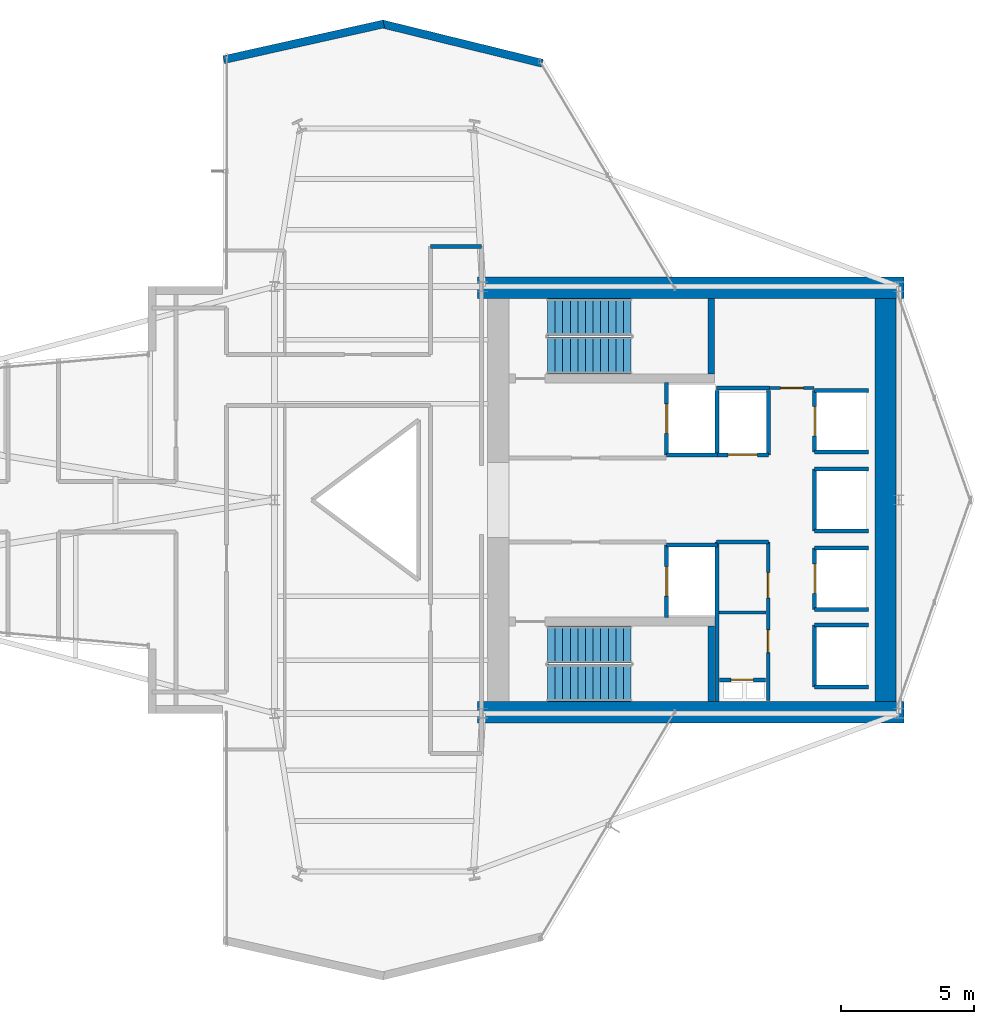
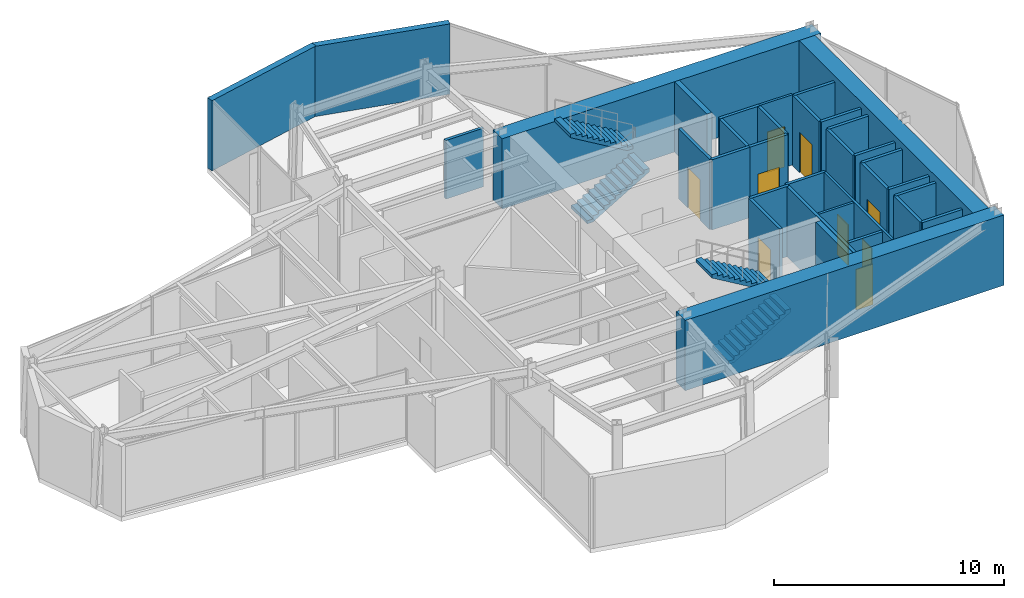
# One storey, part 21 of 23: 34 walls, 9 doors, 4 stair flights, 9 openings, 2 elements without a shape of their own.
"""IFC4 building model written with IfcOpenShell, lengths in metres."""

from ifc_helpers import new_model, si_unit, direction, frame, frame_2d, origin, place, context, subcontext, project, spatial, polyline, rectangle, outline, extrude, material, layer, layer_set, type_object, element, fill, aggregate, save


model = new_model("IFC4")

# Units and contexts
model_context = context("Model", 3, precision=1e-05, world=origin(), true_north=direction((0.0, 1.0)))
body_context = subcontext(model_context, "Body", "Model", "MODEL_VIEW")
ifc_project = project(units=[si_unit("LENGTHUNIT", "METRE"), si_unit("AREAUNIT", "SQUARE_METRE"), si_unit("VOLUMEUNIT", "CUBIC_METRE"), si_unit("PLANEANGLEUNIT", "RADIAN"), si_unit("MASSUNIT", "GRAM", prefix="KILO")], contexts=[model_context])

# Site, building, storey
site_placement = place(None, origin())
site = spatial("IfcSite", under=ifc_project, at=site_placement, CompositionType="ELEMENT")
building_placement = place(site_placement, origin())
building = spatial("IfcBuilding", under=site, at=building_placement, Name="Veymaron Broadcast Tower", CompositionType="ELEMENT")
storey_placement = place(building_placement, frame((0.0, 0.0, 177.60009765625)))
storey = spatial("IfcBuildingStorey", under=building, at=storey_placement, Name="L41", CompositionType="ELEMENT", Elevation=177.60009765625)

# Walls
ifc_material_1 = material(Name="Precast concrete C40/50 with mineral-wool insulation", Category="concrete")
ifc_layer_1 = layer(ifc_material_1, 0.300048828125)
ifc_layer_set_1 = layer_set([ifc_layer_1], Name="Precast concrete C40/50 with mineral-wool insulation")
wall_type_1 = type_object("IfcWallType", Name="WALL-EXT-300", PredefinedType="STANDARD", material=ifc_layer_set_1)
wall_1_placement = place(storey_placement, frame((41.229248046875, 40.3720703125, 0.0), z_axis=(0.0, 0.0, 1.0), x_axis=(-0.971135940566, 0.238526696497, 0.0)))
element("IfcWall", 1, at=wall_1_placement, inside=storey, type_object=wall_type_1, Name="L41 notched corner facade pier 6-1", PredefinedType="STANDARD", context=body_context, shape_type="SweptSolid", body=[
    extrude(rectangle(XDim=6.17919921875, YDim=0.300048828125, at=frame_2d((3.089599609375, 0.0))), origin(), (0.0, 0.0, 1.0), 3.72998046875),
])
wall_2_placement = place(storey_placement, frame((35.29248046875, 41.845458984375, 0.0), z_axis=(0.0, 0.0, 1.0), x_axis=(-0.975959494703, -0.217951977966, 0.0)))
element("IfcWall", 2, at=wall_2_placement, inside=storey, type_object=wall_type_1, Name="L41 notched corner facade pier 7-1", PredefinedType="STANDARD", context=body_context, shape_type="SweptSolid", body=[
    extrude(rectangle(XDim=6.1484375, YDim=0.300048828125, at=frame_2d((3.07421875, 0.0))), origin(), (0.0, 0.0, 1.0), 3.72998046875),
])

# Wall, opening, door
ifc_material_2 = material(Name="Gypsum fireboard and steel stud framing", Category="steel")
ifc_layer_2 = layer(ifc_material_2, 0.14990234375)
ifc_layer_set_2 = layer_set([ifc_layer_2], Name="Gypsum fireboard and steel stud framing")
wall_type_2 = type_object("IfcWallType", Name="WALL-FIRE-150", PredefinedType="PARTITIONING", material=ifc_layer_set_2)
wall_3_placement = place(storey_placement, frame((45.89501953125, 25.68994140625, 0.0), z_axis=(0.0, 0.0, 1.0), x_axis=(0.0, 1.0, 0.0)))
wall_3 = element("IfcWall", 3, at=wall_3_placement, inside=storey, type_object=wall_type_2, Name="L41 partition IW-L41-SHW-FFL-1", PredefinedType="PARTITIONING", context=body_context, shape_type="SweptSolid", body=[
    extrude(rectangle(XDim=2.719970703125, YDim=0.14990234375, at=frame_2d((1.35986328125, 0.0))), origin(), (0.0, 0.0, 1.0), 3.72998046875),
])
opening_1_placement = place(wall_3_placement, frame((0.81005859375, 0.0, 0.0)))
opening_1 = element("IfcOpeningElement", 4, at=opening_1_placement, cuts=wall_3, Name="Opening LD", PredefinedType="OPENING", context=body_context, shape_type="SweptSolid", body=[
    extrude(rectangle(XDim=1.10009765625, YDim=2.14990234375, at=frame_2d((0.550048828125, 1.074951171875))), frame((0.0, 0.0849609375, 0.0), z_axis=(0.0, -1.0, 0.0), x_axis=(1.0, 0.0, 0.0)), (0.0, 0.0, 1.0), 0.169921875),
])
ifc_material_3 = material(Name="Brushed stainless steel AISI 304", Category="steel")
door_type_1 = type_object("IfcDoorType", Name="DOOR-LIFT-1100", OperationType="DOUBLE_DOOR_SLIDING", PredefinedType="DOOR", material=ifc_material_3)
door_1_placement = place(opening_1_placement, frame((1.10009765625, 0.0, 0.0), z_axis=(0.0, 0.0, 1.0), x_axis=(-1.0, 0.0, 0.0)))
door_1 = element("IfcDoor", 5, at=door_1_placement, inside=storey, type_object=door_type_1, Name="L41 door LD-L41-FFL-1", OperationType="DOUBLE_DOOR_SLIDING", OverallHeight=2.14990234375, OverallWidth=1.10009765625, PredefinedType="DOOR", context=body_context, shape_type="SweptSolid", body=[
    extrude(rectangle(XDim=1.10009765625, YDim=2.14990234375, at=frame_2d((0.550048828125, 1.074951171875))), frame((0.0, 0.02490234375, 0.0), z_axis=(0.0, -1.0, 0.0), x_axis=(1.0, 0.0, 0.0)), (0.0, 0.0, 1.0), 0.050048828125),
])
fill(opening_1, door_1)

# Wall
wall_4_placement = place(storey_placement, frame((45.89501953125, 25.68994140625, 0.0), z_axis=(0.0, 0.0, 1.0), x_axis=(1.0, 0.0, 0.0)))
element("IfcWall", 6, at=wall_4_placement, inside=storey, type_object=wall_type_2, Name="L41 partition IW-L41-SHS-FFL-1", PredefinedType="PARTITIONING", context=body_context, shape_type="SweptSolid", body=[
    extrude(rectangle(XDim=1.9150390625, YDim=0.14990234375, at=frame_2d((0.95751953125, 0.0))), origin(), (0.0, 0.0, 1.0), 3.72998046875),
])

# Wall, opening, door
wall_5_placement = place(storey_placement, frame((45.89501953125, 19.590087890625, 0.0), z_axis=(0.0, 0.0, 1.0), x_axis=(0.0, 1.0, 0.0)))
wall_5 = element("IfcWall", 7, at=wall_5_placement, inside=storey, type_object=wall_type_2, Name="L41 partition IW-L41-SHW-FFL-2", PredefinedType="PARTITIONING", context=body_context, shape_type="SweptSolid", body=[
    extrude(rectangle(XDim=2.719970703125, YDim=0.14990234375, at=frame_2d((1.35986328125, 0.0))), origin(), (0.0, 0.0, 1.0), 3.72998046875),
])
opening_2_placement = place(wall_5_placement, frame((0.81005859375, 0.0, 0.0)))
opening_2 = element("IfcOpeningElement", 8, at=opening_2_placement, cuts=wall_5, Name="Opening LD", PredefinedType="OPENING", context=body_context, shape_type="SweptSolid", body=[
    extrude(rectangle(XDim=1.10009765625, YDim=2.14990234375, at=frame_2d((0.550048828125, 1.074951171875))), frame((0.0, 0.0849609375, 0.0), z_axis=(0.0, -1.0, 0.0), x_axis=(1.0, 0.0, 0.0)), (0.0, 0.0, 1.0), 0.169921875),
])
door_2_placement = place(opening_2_placement, frame((1.10009765625, 0.0, 0.0), z_axis=(0.0, 0.0, 1.0), x_axis=(-1.0, 0.0, 0.0)))
door_2 = element("IfcDoor", 9, at=door_2_placement, inside=storey, type_object=door_type_1, Name="L41 door LD-L41-FFL-2", OperationType="DOUBLE_DOOR_SLIDING", OverallHeight=2.14990234375, OverallWidth=1.10009765625, PredefinedType="DOOR", context=body_context, shape_type="SweptSolid", body=[
    extrude(rectangle(XDim=1.10009765625, YDim=2.14990234375, at=frame_2d((0.550048828125, 1.074951171875))), frame((0.0, 0.02490234375, 0.0), z_axis=(0.0, -1.0, 0.0), x_axis=(1.0, 0.0, 0.0)), (0.0, 0.0, 1.0), 0.050048828125),
])
fill(opening_2, door_2)

# Wall
wall_6_placement = place(storey_placement, frame((45.89501953125, 22.31005859375, 0.0), z_axis=(0.0, 0.0, 1.0), x_axis=(1.0, 0.0, 0.0)))
element("IfcWall", 10, at=wall_6_placement, inside=storey, type_object=wall_type_2, Name="L41 partition IW-L41-SHN-FFL-2", PredefinedType="PARTITIONING", context=body_context, shape_type="SweptSolid", body=[
    extrude(rectangle(XDim=1.9150390625, YDim=0.14990234375, at=frame_2d((0.95751953125, 0.0))), origin(), (0.0, 0.0, 1.0), 3.72998046875),
])

# Wall, opening, door
wall_7_placement = place(storey_placement, frame((47.7900390625, 25.695068359375, 0.0), z_axis=(0.0, 0.0, 1.0), x_axis=(1.0, 0.0, 0.0)))
wall_7 = element("IfcWall", 11, at=wall_7_placement, inside=storey, type_object=wall_type_2, Name="L41 partition IW-L41-SHS-SL-1", PredefinedType="PARTITIONING", context=body_context, shape_type="SweptSolid", body=[
    extrude(rectangle(XDim=1.919921875, YDim=0.14990234375, at=frame_2d((0.9599609375, 0.0))), origin(), (0.0, 0.0, 1.0), 3.72998046875),
])
opening_3_placement = place(wall_7_placement, frame((0.409912109375, 0.0, 0.0)))
opening_3 = element("IfcOpeningElement", 12, at=opening_3_placement, cuts=wall_7, Name="Opening LD", PredefinedType="OPENING", context=body_context, shape_type="SweptSolid", body=[
    extrude(rectangle(XDim=1.10009765625, YDim=2.14990234375, at=frame_2d((0.550048828125, 1.074951171875))), frame((0.0, 0.0849609375, 0.0), z_axis=(0.0, -1.0, 0.0), x_axis=(1.0, 0.0, 0.0)), (0.0, 0.0, 1.0), 0.169921875),
])
door_3_placement = place(opening_3_placement, frame((1.10009765625, 0.0, 0.0), z_axis=(0.0, 0.0, 1.0), x_axis=(-1.0, 0.0, 0.0)))
door_3 = element("IfcDoor", 13, at=door_3_placement, inside=storey, type_object=door_type_1, Name="L41 door LD-L41-SL-1", OperationType="DOUBLE_DOOR_SLIDING", OverallHeight=2.14990234375, OverallWidth=1.10009765625, PredefinedType="DOOR", context=body_context, shape_type="SweptSolid", body=[
    extrude(rectangle(XDim=1.10009765625, YDim=2.14990234375, at=frame_2d((0.550048828125, 1.074951171875))), frame((0.0, 0.02490234375, 0.0), z_axis=(0.0, -1.0, 0.0), x_axis=(1.0, 0.0, 0.0)), (0.0, 0.0, 1.0), 0.050048828125),
])
fill(opening_3, door_3)

# Walls
for number, where, z_axis, x_axis, name in (
    (14, (47.7900390625, 25.695068359375, 0.0), (0.0, 0.0, 1.0), (0.0, 1.0, 0.0), "L41 partition IW-L41-SHW-SL-1"),
    (15, (49.7099609375, 25.695068359375, 0.0), (0.0, 0.0, 1.0), (0.0, 1.0, 0.0), "L41 partition IW-L41-SHE-SL-1"),
):
    element("IfcWall", number, at=place(storey_placement, frame(where, z_axis=z_axis, x_axis=x_axis)), inside=storey, type_object=wall_type_2, Name=name, PredefinedType="PARTITIONING", context=body_context, shape_type="SweptSolid", body=[
        extrude(rectangle(XDim=2.4150390625, YDim=0.14990234375, at=frame_2d((1.20751953125, 0.0))), origin(), (0.0, 0.0, 1.0), 3.72998046875),
    ])

# Wall, opening, door
wall_8_placement = place(storey_placement, frame((51.445068359375, 25.7900390625, 0.0), z_axis=(0.0, 0.0, 1.0), x_axis=(0.0, 1.0, 0.0)))
wall_8 = element("IfcWall", 16, at=wall_8_placement, inside=storey, type_object=wall_type_2, Name="L41 partition IW-L41-SHW-PM1", PredefinedType="PARTITIONING", context=body_context, shape_type="SweptSolid", body=[
    extrude(rectangle(XDim=2.320068359375, YDim=0.14990234375, at=frame_2d((1.16015625, 0.0))), origin(), (0.0, 0.0, 1.0), 3.72998046875),
])
opening_4_placement = place(wall_8_placement, frame((0.610107421875, 0.0, 0.0)))
opening_4 = element("IfcOpeningElement", 17, at=opening_4_placement, cuts=wall_8, Name="Opening LD", PredefinedType="OPENING", context=body_context, shape_type="SweptSolid", body=[
    extrude(rectangle(XDim=1.10009765625, YDim=2.14990234375, at=frame_2d((0.550048828125, 1.074951171875))), frame((0.0, 0.0849609375, 0.0), z_axis=(0.0, -1.0, 0.0), x_axis=(1.0, 0.0, 0.0)), (0.0, 0.0, 1.0), 0.169921875),
])
door_4_placement = place(opening_4_placement, frame((1.10009765625, 0.0, 0.0), z_axis=(0.0, 0.0, 1.0), x_axis=(-1.0, 0.0, 0.0)))
door_4 = element("IfcDoor", 18, at=door_4_placement, inside=storey, type_object=door_type_1, Name="L41 door LD-L41-PM1", OperationType="DOUBLE_DOOR_SLIDING", OverallHeight=2.14990234375, OverallWidth=1.10009765625, PredefinedType="DOOR", context=body_context, shape_type="SweptSolid", body=[
    extrude(rectangle(XDim=1.10009765625, YDim=2.14990234375, at=frame_2d((0.550048828125, 1.074951171875))), frame((0.0, 0.02490234375, 0.0), z_axis=(0.0, -1.0, 0.0), x_axis=(1.0, 0.0, 0.0)), (0.0, 0.0, 1.0), 0.050048828125),
])
fill(opening_4, door_4)

# Walls
for number, where, z_axis, x_axis, name in (
    (19, (51.445068359375, 25.7900390625, 0.0), (0.0, 0.0, 1.0), (1.0, 0.0, 0.0), "L41 partition IW-L41-SHS-PM1"),
    (20, (51.445068359375, 28.110107421875, 0.0), (0.0, 0.0, 1.0), (1.0, 0.0, 0.0), "L41 partition IW-L41-SHN-PM1"),
):
    element("IfcWall", number, at=place(storey_placement, frame(where, z_axis=z_axis, x_axis=x_axis)), inside=storey, type_object=wall_type_2, Name=name, PredefinedType="PARTITIONING", context=body_context, shape_type="SweptSolid", body=[
        extrude(rectangle(XDim=2.014892578125, YDim=0.14990234375, at=frame_2d((1.00732421875, 0.0))), origin(), (0.0, 0.0, 1.0), 3.72998046875),
    ])

# Wall, opening, door
wall_9_placement = place(storey_placement, frame((51.445068359375, 19.889892578125, 0.0), z_axis=(0.0, 0.0, 1.0), x_axis=(0.0, 1.0, 0.0)))
wall_9 = element("IfcWall", 21, at=wall_9_placement, inside=storey, type_object=wall_type_2, Name="L41 partition IW-L41-SHW-PM2", PredefinedType="PARTITIONING", context=body_context, shape_type="SweptSolid", body=[
    extrude(rectangle(XDim=2.320068359375, YDim=0.14990234375, at=frame_2d((1.16015625, 0.0))), origin(), (0.0, 0.0, 1.0), 3.72998046875),
])
opening_5_placement = place(wall_9_placement, frame((0.610107421875, 0.0, 0.0)))
opening_5 = element("IfcOpeningElement", 22, at=opening_5_placement, cuts=wall_9, Name="Opening LD", PredefinedType="OPENING", context=body_context, shape_type="SweptSolid", body=[
    extrude(rectangle(XDim=1.10009765625, YDim=2.14990234375, at=frame_2d((0.550048828125, 1.074951171875))), frame((0.0, 0.0849609375, 0.0), z_axis=(0.0, -1.0, 0.0), x_axis=(1.0, 0.0, 0.0)), (0.0, 0.0, 1.0), 0.169921875),
])
door_5_placement = place(opening_5_placement, frame((1.10009765625, 0.0, 0.0), z_axis=(0.0, 0.0, 1.0), x_axis=(-1.0, 0.0, 0.0)))
door_5 = element("IfcDoor", 23, at=door_5_placement, inside=storey, type_object=door_type_1, Name="L41 door LD-L41-PM2", OperationType="DOUBLE_DOOR_SLIDING", OverallHeight=2.14990234375, OverallWidth=1.10009765625, PredefinedType="DOOR", context=body_context, shape_type="SweptSolid", body=[
    extrude(rectangle(XDim=1.10009765625, YDim=2.14990234375, at=frame_2d((0.550048828125, 1.074951171875))), frame((0.0, 0.02490234375, 0.0), z_axis=(0.0, -1.0, 0.0), x_axis=(1.0, 0.0, 0.0)), (0.0, 0.0, 1.0), 0.050048828125),
])
fill(opening_5, door_5)

# Walls
for number, where, z_axis, x_axis, name in (
    (24, (51.445068359375, 19.889892578125, 0.0), (0.0, 0.0, 1.0), (1.0, 0.0, 0.0), "L41 partition IW-L41-SHS-PM2"),
    (25, (51.445068359375, 22.2099609375, 0.0), (0.0, 0.0, 1.0), (1.0, 0.0, 0.0), "L41 partition IW-L41-SHN-PM2"),
):
    element("IfcWall", number, at=place(storey_placement, frame(where, z_axis=z_axis, x_axis=x_axis)), inside=storey, type_object=wall_type_2, Name=name, PredefinedType="PARTITIONING", context=body_context, shape_type="SweptSolid", body=[
        extrude(rectangle(XDim=2.014892578125, YDim=0.14990234375, at=frame_2d((1.00732421875, 0.0))), origin(), (0.0, 0.0, 1.0), 3.72998046875),
    ])
wall_10_placement = place(storey_placement, frame((51.445068359375, 22.840087890625, 0.0), z_axis=(0.0, 0.0, 1.0), x_axis=(0.0, 1.0, 0.0)))
element("IfcWall", 26, at=wall_10_placement, inside=storey, type_object=wall_type_2, Name="L41 partition IW-L41-SHW-PM3", PredefinedType="PARTITIONING", context=body_context, shape_type="SweptSolid", body=[
    extrude(rectangle(XDim=2.31982421875, YDim=0.14990234375, at=frame_2d((1.159912109375, 0.0))), origin(), (0.0, 0.0, 1.0), 3.72998046875),
])
for number, where, z_axis, x_axis, name in (
    (27, (51.445068359375, 22.840087890625, 0.0), (0.0, 0.0, 1.0), (1.0, 0.0, 0.0), "L41 partition IW-L41-SHS-PM3"),
    (28, (51.445068359375, 25.159912109375, 0.0), (0.0, 0.0, 1.0), (1.0, 0.0, 0.0), "L41 partition IW-L41-SHN-PM3"),
):
    element("IfcWall", number, at=place(storey_placement, frame(where, z_axis=z_axis, x_axis=x_axis)), inside=storey, type_object=wall_type_2, Name=name, PredefinedType="PARTITIONING", context=body_context, shape_type="SweptSolid", body=[
        extrude(rectangle(XDim=2.014892578125, YDim=0.14990234375, at=frame_2d((1.00732421875, 0.0))), origin(), (0.0, 0.0, 1.0), 3.72998046875),
    ])
wall_11_placement = place(storey_placement, frame((51.445068359375, 16.989990234375, 0.0), z_axis=(0.0, 0.0, 1.0), x_axis=(0.0, 1.0, 0.0)))
element("IfcWall", 29, at=wall_11_placement, inside=storey, type_object=wall_type_2, Name="L41 partition IW-L41-SHW-PH1", PredefinedType="PARTITIONING", context=body_context, shape_type="SweptSolid", body=[
    extrude(rectangle(XDim=2.320068359375, YDim=0.14990234375, at=frame_2d((1.16015625, 0.0))), origin(), (0.0, 0.0, 1.0), 3.72998046875),
])
for number, where, z_axis, x_axis, name in (
    (30, (51.445068359375, 16.989990234375, 0.0), (0.0, 0.0, 1.0), (1.0, 0.0, 0.0), "L41 partition IW-L41-SHS-PH1"),
    (31, (51.445068359375, 19.31005859375, 0.0), (0.0, 0.0, 1.0), (1.0, 0.0, 0.0), "L41 partition IW-L41-SHN-PH1"),
):
    element("IfcWall", number, at=place(storey_placement, frame(where, z_axis=z_axis, x_axis=x_axis)), inside=storey, type_object=wall_type_2, Name=name, PredefinedType="PARTITIONING", context=body_context, shape_type="SweptSolid", body=[
        extrude(rectangle(XDim=2.014892578125, YDim=0.14990234375, at=frame_2d((1.00732421875, 0.0))), origin(), (0.0, 0.0, 1.0), 3.72998046875),
    ])

# Wall, opening, door
wall_12_placement = place(storey_placement, frame((47.8798828125, 17.260009765625, 0.0), z_axis=(0.0, 0.0, 1.0), x_axis=(1.0, 0.0, 0.0)))
wall_12 = element("IfcWall", 32, at=wall_12_placement, inside=storey, type_object=wall_type_2, Name="L41 partition IW-L41-RIS-N", PredefinedType="PARTITIONING", context=body_context, shape_type="SweptSolid", body=[
    extrude(rectangle(XDim=1.72021484375, YDim=0.14990234375, at=frame_2d((0.860107421875, 0.0))), origin(), (0.0, 0.0, 1.0), 3.72998046875),
])
opening_6_placement = place(wall_12_placement, frame((0.419921875, 0.0, 0.0)))
opening_6 = element("IfcOpeningElement", 33, at=opening_6_placement, cuts=wall_12, Name="Opening ID-RS1", PredefinedType="OPENING", context=body_context, shape_type="SweptSolid", body=[
    extrude(rectangle(XDim=0.85009765625, YDim=2.14990234375, at=frame_2d((0.425048828125, 1.074951171875))), frame((0.0, 0.0849609375, 0.0), z_axis=(0.0, -1.0, 0.0), x_axis=(1.0, 0.0, 0.0)), (0.0, 0.0, 1.0), 0.169921875),
])
ifc_material_4 = material(Name="Fire-rated powder-coated steel riser leaf", Category="steel")
door_type_2 = type_object("IfcDoorType", Name="DOOR-RIS-850", OperationType="NOTDEFINED", PredefinedType="TRAPDOOR", material=ifc_material_4)
door_6_placement = place(opening_6_placement, origin())
door_6 = element("IfcDoor", 34, at=door_6_placement, inside=storey, type_object=door_type_2, Name="L41 door DR-L41-RIS", OperationType="SINGLE_SWING_LEFT", OverallHeight=2.14990234375, OverallWidth=0.85009765625, PredefinedType="TRAPDOOR", context=body_context, shape_type="SweptSolid", body=[
    extrude(rectangle(XDim=0.85009765625, YDim=2.14990234375, at=frame_2d((0.425048828125, 1.074951171875))), frame((0.0, 0.02490234375, 0.0), z_axis=(0.0, -1.0, 0.0), x_axis=(1.0, 0.0, 0.0)), (0.0, 0.0, 1.0), 0.050048828125),
])
fill(opening_6, door_6)

# Walls
wall_13_placement = place(storey_placement, frame((47.760009765625, 22.425048828125, 0.0), z_axis=(0.0, 0.0, 1.0), x_axis=(1.0, 0.0, 0.0)))
element("IfcWall", 35, at=wall_13_placement, inside=storey, type_object=wall_type_2, Name="L41 partition IW-L41-SM-N", PredefinedType="PARTITIONING", context=body_context, shape_type="SweptSolid", body=[
    extrude(rectangle(XDim=1.9599609375, YDim=0.14990234375, at=frame_2d((0.97998046875, 0.0))), origin(), (0.0, 0.0, 1.0), 3.72998046875),
])
wall_14_placement = place(storey_placement, frame((47.780029296875, 16.449951171875, 0.0), z_axis=(0.0, 0.0, 1.0), x_axis=(0.0, 1.0, 0.0)))
element("IfcWall", 36, at=wall_14_placement, inside=storey, type_object=wall_type_2, Name="L41 partition IW-L41-SM-W", PredefinedType="PARTITIONING", context=body_context, shape_type="SweptSolid", body=[
    extrude(rectangle(XDim=5.97509765625, YDim=0.14990234375, at=frame_2d((2.987548828125, 0.0))), origin(), (0.0, 0.0, 1.0), 3.72998046875),
])
wall_15_placement = place(storey_placement, frame((47.760009765625, 28.199951171875, 0.0), z_axis=(0.0, 0.0, 1.0), x_axis=(1.0, 0.0, 0.0)))
element("IfcWall", 37, at=wall_15_placement, inside=storey, type_object=wall_type_2, Name="L41 partition IW-L41-F1-SW", PredefinedType="PARTITIONING", context=body_context, shape_type="SweptSolid", body=[
    extrude(rectangle(XDim=1.989990234375, YDim=0.14990234375, at=frame_2d((0.9951171875, 0.0))), origin(), (0.0, 0.0, 1.0), 3.72998046875),
])
wall_16_placement = place(storey_placement, frame((37.050048828125, 33.5, 0.0), z_axis=(0.0, 0.0, 1.0), x_axis=(1.0, 0.0, 0.0)))
element("IfcWall", 38, at=wall_16_placement, inside=storey, type_object=wall_type_2, Name="L41 partition IW-L41-P25", PredefinedType="PARTITIONING", context=body_context, shape_type="SweptSolid", body=[
    extrude(rectangle(XDim=1.89990234375, YDim=0.14990234375, at=frame_2d((0.949951171875, 0.0))), origin(), (0.0, 0.0, 1.0), 3.10986328125),
])
ifc_material_5 = material(Name="Acoustic gypsum board and galvanized stud", Category="gypsum")
ifc_layer_3 = layer(ifc_material_5, 0.1201171875)
ifc_layer_set_3 = layer_set([ifc_layer_3], Name="Acoustic gypsum board and galvanized stud")
wall_type_3 = type_object("IfcWallType", Name="WALL-PART-120", PredefinedType="PARTITIONING", material=ifc_layer_set_3)
wall_17_placement = place(storey_placement, frame((47.860107421875, 19.780029296875, 0.0), z_axis=(0.0, 0.0, 1.0), x_axis=(1.0, 0.0, 0.0)))
element("IfcWall", 39, at=wall_17_placement, inside=storey, type_object=wall_type_3, Name="L41 partition IW-L41-SM-DIV", PredefinedType="PARTITIONING", context=body_context, shape_type="SweptSolid", body=[
    extrude(rectangle(XDim=1.760009765625, YDim=0.1201171875, at=frame_2d((0.8798828125, 0.0))), origin(), (0.0, 0.0, 1.0), 3.72998046875),
])

# Wall, openings, doors
wall_18_placement = place(storey_placement, frame((49.699951171875, 16.47998046875, 0.0), z_axis=(0.0, 0.0, 1.0), x_axis=(0.0, 1.0, 0.0)))
wall_18 = element("IfcWall", 40, at=wall_18_placement, inside=storey, type_object=wall_type_3, Name="L41 partition IW-L41-SM-E", PredefinedType="PARTITIONING", context=body_context, shape_type="SweptSolid", body=[
    extrude(rectangle(XDim=5.945068359375, YDim=0.1201171875, at=frame_2d((2.97265625, 0.0))), origin(), (0.0, 0.0, 1.0), 3.72998046875),
])
opening_7_placement = place(wall_18_placement, frame((1.800048828125, 0.0, 0.0)))
opening_7 = element("IfcOpeningElement", 41, at=opening_7_placement, cuts=wall_18, Name="Opening ID-WC1", PredefinedType="OPENING", context=body_context, shape_type="SweptSolid", body=[
    extrude(rectangle(XDim=0.85009765625, YDim=2.14990234375, at=frame_2d((0.425048828125, 1.074951171875))), frame((0.0, 0.070068359375, 0.0), z_axis=(0.0, -1.0, 0.0), x_axis=(1.0, 0.0, 0.0)), (0.0, 0.0, 1.0), 0.14013671875),
])
opening_8_placement = place(wall_18_placement, frame((3.85009765625, 0.0, 0.0)))
opening_8 = element("IfcOpeningElement", 42, at=opening_8_placement, cuts=wall_18, Name="Opening ID-RM1", PredefinedType="OPENING", context=body_context, shape_type="SweptSolid", body=[
    extrude(rectangle(XDim=0.949951171875, YDim=2.14990234375, at=frame_2d((0.47509765625, 1.074951171875))), frame((0.0, 0.070068359375, 0.0), z_axis=(0.0, -1.0, 0.0), x_axis=(1.0, 0.0, 0.0)), (0.0, 0.0, 1.0), 0.14013671875),
])
ifc_material_6 = material(Name="Moisture-resistant high-pressure laminate timber", Category="wood")
door_type_3 = type_object("IfcDoorType", Name="DOOR-INT-850", OperationType="NOTDEFINED", PredefinedType="DOOR", material=ifc_material_6)
door_7_placement = place(opening_7_placement, frame((0.85009765625, 0.0, 0.0), z_axis=(0.0, 0.0, 1.0), x_axis=(-1.0, 0.0, 0.0)))
door_7 = element("IfcDoor", 43, at=door_7_placement, inside=storey, type_object=door_type_3, Name="L41 door DR-L41-SWC", OperationType="SINGLE_SWING_LEFT", OverallHeight=2.14990234375, OverallWidth=0.85009765625, PredefinedType="DOOR", context=body_context, shape_type="SweptSolid", body=[
    extrude(rectangle(XDim=0.85009765625, YDim=2.14990234375, at=frame_2d((0.425048828125, 1.074951171875))), frame((0.0, 0.02490234375, 0.0), z_axis=(0.0, -1.0, 0.0), x_axis=(1.0, 0.0, 0.0)), (0.0, 0.0, 1.0), 0.050048828125),
])
fill(opening_7, door_7)
ifc_material_7 = material(Name="Acoustic solid-core European oak veneer timber", Category="wood")
door_type_4 = type_object("IfcDoorType", Name="DOOR-INT-950", OperationType="NOTDEFINED", PredefinedType="DOOR", material=ifc_material_7)
door_8_placement = place(opening_8_placement, frame((0.949951171875, 0.0, 0.0), z_axis=(0.0, 0.0, 1.0), x_axis=(-1.0, 0.0, 0.0)))
door_8 = element("IfcDoor", 44, at=door_8_placement, inside=storey, type_object=door_type_4, Name="L41 door DR-L41-AWC", OperationType="SINGLE_SWING_RIGHT", OverallHeight=2.14990234375, OverallWidth=0.949951171875, PredefinedType="DOOR", context=body_context, shape_type="SweptSolid", body=[
    extrude(rectangle(XDim=0.949951171875, YDim=2.14990234375, at=frame_2d((0.47509765625, 1.074951171875))), frame((0.0, 0.02490234375, 0.0), z_axis=(0.0, -1.0, 0.0), x_axis=(1.0, 0.0, 0.0)), (0.0, 0.0, 1.0), 0.050048828125),
])
fill(opening_8, door_8)

# Wall, opening, door
wall_19_placement = place(storey_placement, frame((49.75, 28.199951171875, 0.0), z_axis=(0.0, 0.0, 1.0), x_axis=(1.0, 0.0, 0.0)))
wall_19 = element("IfcWall", 45, at=wall_19_placement, inside=storey, type_object=wall_type_3, Name="L41 partition IW-L41-F1-S", PredefinedType="PARTITIONING", context=body_context, shape_type="SweptSolid", body=[
    extrude(rectangle(XDim=1.669921875, YDim=0.1201171875, at=frame_2d((0.8349609375, 0.0))), origin(), (0.0, 0.0, 1.0), 3.72998046875),
])
opening_9_placement = place(wall_19_placement, frame((0.419921875, 0.0, 0.0)))
opening_9 = element("IfcOpeningElement", 46, at=opening_9_placement, cuts=wall_19, Name="Opening ID-WC1", PredefinedType="OPENING", context=body_context, shape_type="SweptSolid", body=[
    extrude(rectangle(XDim=0.85009765625, YDim=2.14990234375, at=frame_2d((0.425048828125, 1.074951171875))), frame((0.0, 0.070068359375, 0.0), z_axis=(0.0, -1.0, 0.0), x_axis=(1.0, 0.0, 0.0)), (0.0, 0.0, 1.0), 0.14013671875),
])
door_9_placement = place(opening_9_placement, origin())
door_9 = element("IfcDoor", 47, at=door_9_placement, inside=storey, type_object=door_type_3, Name="L41 door DR-L41-F1A", OperationType="SINGLE_SWING_LEFT", OverallHeight=2.14990234375, OverallWidth=0.85009765625, PredefinedType="DOOR", context=body_context, shape_type="SweptSolid", body=[
    extrude(rectangle(XDim=0.85009765625, YDim=2.14990234375, at=frame_2d((0.425048828125, 1.074951171875))), frame((0.0, 0.02490234375, 0.0), z_axis=(0.0, -1.0, 0.0), x_axis=(1.0, 0.0, 0.0)), (0.0, 0.0, 1.0), 0.050048828125),
])
fill(opening_9, door_9)

# Walls
ifc_material_8 = material(Name="Concrete C50/60", Category="concrete")
ifc_layer_4 = layer(ifc_material_8, 0.25)
ifc_layer_set_4 = layer_set([ifc_layer_4], Name="Concrete C50/60")
wall_type_4 = type_object("IfcWallType", Name="WALL-SHEAR-250", PredefinedType="SHEAR", material=ifc_layer_set_4)
for number, where, z_axis, x_axis, name in (
    (48, (47.56494140625, 28.72998046875, 0.0), (0.0, 0.0, 1.0), (0.0, 1.0, 0.0), "L41 Core Wall north stair east shear"),
    (49, (47.56494140625, 16.449951171875, 0.0), (0.0, 0.0, 1.0), (0.0, 1.0, 0.0), "L41 Core Wall south stair east shear"),
):
    element("IfcWall", number, at=place(storey_placement, frame(where, z_axis=z_axis, x_axis=x_axis)), inside=storey, type_object=wall_type_4, Name=name, PredefinedType="SHEAR", context=body_context, shape_type="SweptSolid", body=[
        extrude(rectangle(XDim=2.820068359375, YDim=0.25, at=frame_2d((1.41015625, 0.0))), origin(), (0.0, 0.0, 1.0), 3.72998046875),
    ])
ifc_material_9 = material(Name="Concrete C60/75", Category="concrete")
ifc_layer_5 = layer(ifc_material_9, 0.800048828125)
ifc_layer_set_5 = layer_set([ifc_layer_5], Name="Concrete C60/75")
wall_type_5 = type_object("IfcWallType", Name="WALL-SHEAR-800", PredefinedType="SHEAR", material=ifc_layer_set_5)
for number, where, z_axis, x_axis, name in (
    (50, (38.800048828125, 31.949951171875, 0.0), (0.0, 0.0, 1.0), (1.0, 0.0, 0.0), "L41 Core Wall north shear"),
    (51, (38.800048828125, 16.050048828125, 0.0), (0.0, 0.0, 1.0), (1.0, 0.0, 0.0), "L41 Core Wall south shear"),
):
    element("IfcWall", number, at=place(storey_placement, frame(where, z_axis=z_axis, x_axis=x_axis)), inside=storey, type_object=wall_type_5, Name=name, PredefinedType="SHEAR", context=body_context, shape_type="SweptSolid", body=[
        extrude(rectangle(XDim=16.0, YDim=0.800048828125, at=frame_2d((8.0, 0.0))), origin(), (0.0, 0.0, 1.0), 3.72998046875),
    ])
wall_20_placement = place(storey_placement, frame((54.10009765625, 16.449951171875, 0.0), z_axis=(0.0, 0.0, 1.0), x_axis=(0.0, 1.0, 0.0)))
element("IfcWall", 52, at=wall_20_placement, inside=storey, type_object=wall_type_5, Name="L41 Core Wall east shear", PredefinedType="SHEAR", context=body_context, shape_type="SweptSolid", body=[
    extrude(rectangle(XDim=15.10009765625, YDim=0.800048828125, at=frame_2d((7.550048828125, 0.0))), origin(), (0.0, 0.0, 1.0), 3.72998046875),
])

# Stair, stair flights
stair_type_1 = type_object("IfcStairType", Name="STAIR-CORE-1", PredefinedType="HALF_TURN_STAIR", material=ifc_material_8)
stair_1_placement = place(storey_placement, origin())
stair_1 = element("IfcStair", 53, at=stair_1_placement, inside=storey, type_object=stair_type_1, Name="L41 North protected dog-leg exit stair ST1", PredefinedType="HALF_TURN_STAIR")
ifc_material_10 = material(Name="Precast concrete C50/60", Category="concrete")
stair_flight_type = type_object("IfcStairFlightType", Name="FLT-CORE-RC", PredefinedType="STRAIGHT", material=ifc_material_10)
stair_flight_1_placement = place(storey_placement, frame((41.429931640625, 29.419921875, 0.0), z_axis=(0.0, 0.0, 1.0), x_axis=(1.0, 0.0, 0.0)))
stair_flight_1 = element("IfcStairFlight", 54, at=stair_flight_1_placement, type_object=stair_flight_type, Name="ST1 flight 1", NumberOfRisers=12, NumberOfTreads=11, PredefinedType="STRAIGHT", RiserHeight=0.16875, TreadLength=0.285, context=body_context, shape_type="SweptSolid", body=[
    extrude(outline(polyline([(0.0, 0.0), (0.0, 0.168701171875), (0.284912109375, 0.168701171875), (0.284912109375, 0.33740234375), (0.570068359375, 0.33740234375), (0.570068359375, 0.50634765625), (0.85498046875, 0.50634765625), (0.85498046875, 0.675048828125), (1.139892578125, 0.675048828125), (1.139892578125, 0.84375), (1.425048828125, 0.84375), (1.425048828125, 1.012451171875), (1.7099609375, 1.012451171875), (1.7099609375, 1.18115234375), (1.9951171875, 1.18115234375), (1.9951171875, 1.35009765625), (2.280029296875, 1.35009765625), (2.280029296875, 1.518798828125), (2.56494140625, 1.518798828125), (2.56494140625, 1.6875), (2.85009765625, 1.6875), (2.85009765625, 1.856201171875), (3.135009765625, 1.856201171875), (3.135009765625, 2.02490234375), (3.135009765625, 1.68212890625), (0.294189453125, 0.0), (0.0, 0.0)])), frame((0.0, 0.68994140625, 0.0), z_axis=(0.0, -1.0, 0.0), x_axis=(1.0, 0.0, 0.0)), (0.0, 0.0, 1.0), 1.3798828125),
])
stair_flight_2_placement = place(storey_placement, frame((44.56494140625, 30.860107421875, 2.02490234375), z_axis=(0.0, 0.0, 1.0), x_axis=(-1.0, 0.0, 0.0)))
stair_flight_2 = element("IfcStairFlight", 55, at=stair_flight_2_placement, type_object=stair_flight_type, Name="ST1 flight 2", NumberOfRisers=12, NumberOfTreads=11, PredefinedType="STRAIGHT", RiserHeight=0.16875, TreadLength=0.285, context=body_context, shape_type="SweptSolid", body=[
    extrude(outline(polyline([(0.0, 0.0), (0.0, 0.168701171875), (0.284912109375, 0.168701171875), (0.284912109375, 0.33740234375), (0.570068359375, 0.33740234375), (0.570068359375, 0.50634765625), (0.85498046875, 0.50634765625), (0.85498046875, 0.675048828125), (1.139892578125, 0.675048828125), (1.139892578125, 0.84375), (1.425048828125, 0.84375), (1.425048828125, 1.012451171875), (1.7099609375, 1.012451171875), (1.7099609375, 1.18115234375), (1.9951171875, 1.18115234375), (1.9951171875, 1.35009765625), (2.280029296875, 1.35009765625), (2.280029296875, 1.518798828125), (2.56494140625, 1.518798828125), (2.56494140625, 1.6875), (2.85009765625, 1.6875), (2.85009765625, 1.856201171875), (3.135009765625, 1.856201171875), (3.135009765625, 2.02490234375), (3.135009765625, 1.68212890625), (0.294189453125, 0.0), (0.0, 0.0)])), frame((0.0, 0.68994140625, 0.0), z_axis=(0.0, -1.0, 0.0), x_axis=(1.0, 0.0, 0.0)), (0.0, 0.0, 1.0), 1.3798828125),
])
aggregate(stair_1, [stair_flight_1, stair_flight_2])

stair_type_2 = type_object("IfcStairType", Name="STAIR-CORE-2", PredefinedType="HALF_TURN_STAIR", material=ifc_material_8)
stair_2_placement = place(storey_placement, origin())
stair_2 = element("IfcStair", 56, at=stair_2_placement, inside=storey, type_object=stair_type_2, Name="L41 South protected dog-leg exit stair ST2", PredefinedType="HALF_TURN_STAIR")
stair_flight_3_placement = place(storey_placement, frame((41.429931640625, 17.139892578125, 0.0), z_axis=(0.0, 0.0, 1.0), x_axis=(1.0, 0.0, 0.0)))
stair_flight_3 = element("IfcStairFlight", 57, at=stair_flight_3_placement, type_object=stair_flight_type, Name="ST2 flight 1", NumberOfRisers=12, NumberOfTreads=11, PredefinedType="STRAIGHT", RiserHeight=0.16875, TreadLength=0.285, context=body_context, shape_type="SweptSolid", body=[
    extrude(outline(polyline([(0.0, 0.0), (0.0, 0.168701171875), (0.284912109375, 0.168701171875), (0.284912109375, 0.33740234375), (0.570068359375, 0.33740234375), (0.570068359375, 0.50634765625), (0.85498046875, 0.50634765625), (0.85498046875, 0.675048828125), (1.139892578125, 0.675048828125), (1.139892578125, 0.84375), (1.425048828125, 0.84375), (1.425048828125, 1.012451171875), (1.7099609375, 1.012451171875), (1.7099609375, 1.18115234375), (1.9951171875, 1.18115234375), (1.9951171875, 1.35009765625), (2.280029296875, 1.35009765625), (2.280029296875, 1.518798828125), (2.56494140625, 1.518798828125), (2.56494140625, 1.6875), (2.85009765625, 1.6875), (2.85009765625, 1.856201171875), (3.135009765625, 1.856201171875), (3.135009765625, 2.02490234375), (3.135009765625, 1.68212890625), (0.294189453125, 0.0), (0.0, 0.0)])), frame((0.0, 0.68994140625, 0.0), z_axis=(0.0, -1.0, 0.0), x_axis=(1.0, 0.0, 0.0)), (0.0, 0.0, 1.0), 1.3798828125),
])
stair_flight_4_placement = place(storey_placement, frame((44.56494140625, 18.580078125, 2.02490234375), z_axis=(0.0, 0.0, 1.0), x_axis=(-1.0, 0.0, 0.0)))
stair_flight_4 = element("IfcStairFlight", 58, at=stair_flight_4_placement, type_object=stair_flight_type, Name="ST2 flight 2", NumberOfRisers=12, NumberOfTreads=11, PredefinedType="STRAIGHT", RiserHeight=0.16875, TreadLength=0.285, context=body_context, shape_type="SweptSolid", body=[
    extrude(outline(polyline([(0.0, 0.0), (0.0, 0.168701171875), (0.284912109375, 0.168701171875), (0.284912109375, 0.33740234375), (0.570068359375, 0.33740234375), (0.570068359375, 0.50634765625), (0.85498046875, 0.50634765625), (0.85498046875, 0.675048828125), (1.139892578125, 0.675048828125), (1.139892578125, 0.84375), (1.425048828125, 0.84375), (1.425048828125, 1.012451171875), (1.7099609375, 1.012451171875), (1.7099609375, 1.18115234375), (1.9951171875, 1.18115234375), (1.9951171875, 1.35009765625), (2.280029296875, 1.35009765625), (2.280029296875, 1.518798828125), (2.56494140625, 1.518798828125), (2.56494140625, 1.6875), (2.85009765625, 1.6875), (2.85009765625, 1.856201171875), (3.135009765625, 1.856201171875), (3.135009765625, 2.02490234375), (3.135009765625, 1.68212890625), (0.294189453125, 0.0), (0.0, 0.0)])), frame((0.0, 0.68994140625, 0.0), z_axis=(0.0, -1.0, 0.0), x_axis=(1.0, 0.0, 0.0)), (0.0, 0.0, 1.0), 1.3798828125),
])
aggregate(stair_2, [stair_flight_3, stair_flight_4])

save(model, "model.ifc")
